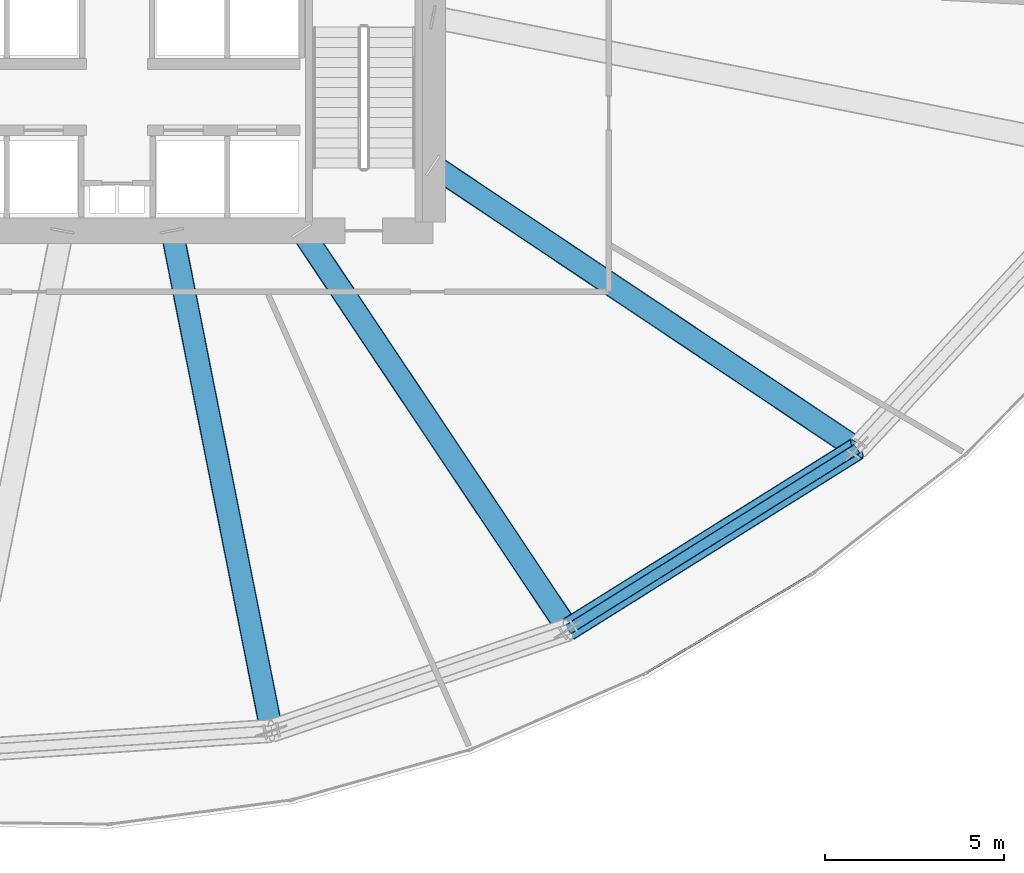
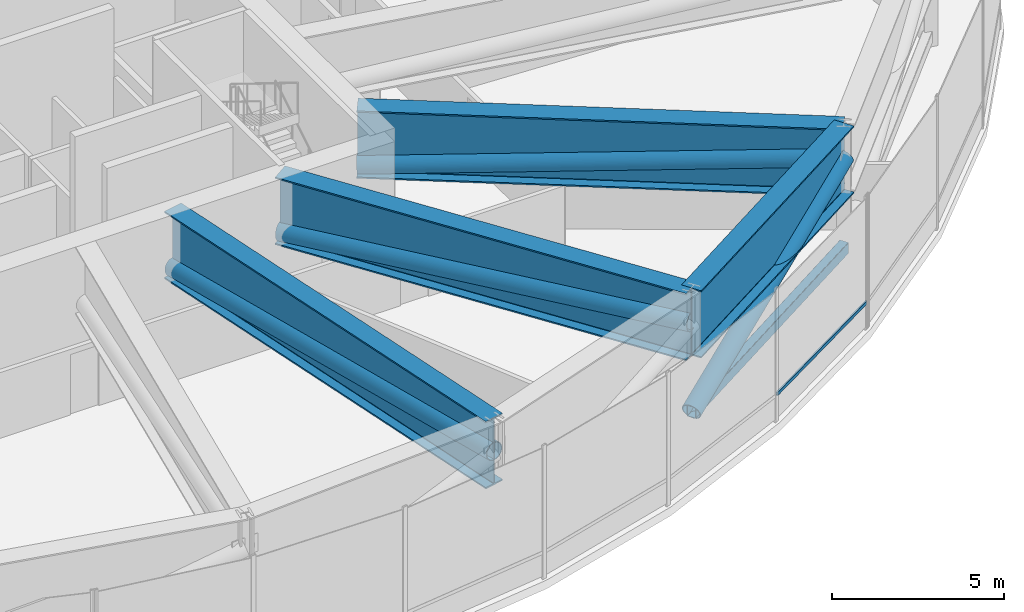
# One storey, part 12 of 33: 6 members, 4 beams, 1 element without a shape of its own.
"""IFC4 building model written with IfcOpenShell, lengths in metres."""

from ifc_helpers import new_model, si_unit, direction, frame, origin, origin_2d, place, context, subcontext, project, spatial, hollow_rectangle, hollow_circle, i_section, extrude, source, transform, mapped, material, layer, layer_set, material_profile, profile_set, type_object, element, aggregate, save


model = new_model("IFC4")

# Units and contexts
model_context = context("Model", 3, precision=1e-05, world=origin(), true_north=direction((0.0, 1.0)))
body_context = subcontext(model_context, "Body", "Model", "MODEL_VIEW")
ifc_project = project(units=[si_unit("LENGTHUNIT", "METRE"), si_unit("AREAUNIT", "SQUARE_METRE"), si_unit("VOLUMEUNIT", "CUBIC_METRE"), si_unit("PLANEANGLEUNIT", "RADIAN"), si_unit("MASSUNIT", "GRAM", prefix="KILO"), si_unit("THERMODYNAMICTEMPERATUREUNIT", "KELVIN")], contexts=[model_context])

# Site, building, storey
site_placement = place(None, origin())
site = spatial("IfcSite", under=ifc_project, at=site_placement, CompositionType="ELEMENT")
building_placement = place(site_placement, origin())
building = spatial("IfcBuilding", under=site, at=building_placement, Name="Kethvar Cultural Tower", CompositionType="ELEMENT")
storey_placement = place(building_placement, frame((0.0, 0.0, 80.39990234375)))
storey = spatial("IfcBuildingStorey", under=building, at=storey_placement, Name="L19", CompositionType="ELEMENT", Elevation=80.39990234375)

# Beam
ifc_material_1 = material(Name="Steel S460M", Category="steel")
ifc_material_profile_1 = material_profile(ifc_material_1, i_section(OverallWidth=0.64990234375, OverallDepth=2.39990234375, WebThickness=0.030029296875, FlangeThickness=0.048095703125, FilletRadius=0.02197265625, at=origin_2d()), Name="Steel S460M — PG2400x650x48x30")
ifc_profile_set_1 = profile_set([ifc_material_profile_1], Name="Steel S460M — PG2400x650x48x30")
beam_type = type_object("IfcBeamType", Name="BM-TR2400", PredefinedType="BEAM", material=ifc_profile_set_1)
shared_shape_1 = source(origin(), body_context, "Body", "SweptSolid", [
    extrude(i_section(OverallWidth=0.64990234375, OverallDepth=2.39990234375, WebThickness=0.030029296875, FlangeThickness=0.048095703125, FilletRadius=0.02197265625, at=origin_2d()), origin(), (0.0, 0.0, 1.0), 14.210693359375),
])
beam_1_placement = place(storey_placement, frame((48.33154296875, 20.10009765625, 3.55810546875), z_axis=(0.195098432651, -0.980783667063, 0.0), x_axis=(0.980783667063, 0.195098432651, 0.0)))
element("IfcBeam", 1, at=beam_1_placement, inside=storey, type_object=beam_type, Name="L19 Outrigger Transfer Girder OG-13", PredefinedType="BEAM", context=body_context, shape_type="MappedRepresentation", body=[
    mapped(shared_shape_1, transform((0.0, 0.0, 0.0), scale=1.0)),
])

# Member
ifc_material_profile_2 = material_profile(ifc_material_1, hollow_circle(Radius=0.304931640625, WallThickness=0.02490234375, at=origin_2d()), Name="Steel S460M — CHS610x25")
ifc_profile_set_2 = profile_set([ifc_material_profile_2], Name="Steel S460M — CHS610x25")
member_type_1 = type_object("IfcMemberType", Name="MB-OUT-610", PredefinedType="BRACE", material=ifc_profile_set_2)
shared_shape_2 = source(origin(), body_context, "Body", "SweptSolid", [
    extrude(hollow_circle(Radius=0.304931640625, WallThickness=0.02490234375, at=origin_2d()), origin(), (0.0, 0.0, 1.0), 14.239501953125),
])
member_1_placement = place(storey_placement, frame((48.33154296875, 20.10009765625, 2.650146484375), z_axis=(0.19470141875, -0.978787829659, 0.063763171568), x_axis=(0.980783667063, 0.195098432651, 0.0)))
element("IfcMember", 2, at=member_1_placement, inside=storey, type_object=member_type_1, Name="L19 Outrigger Truss Diagonal OB-13", PredefinedType="BRACE", context=body_context, shape_type="MappedRepresentation", body=[
    mapped(shared_shape_2, transform((0.0, 0.0, 0.0), scale=1.0)),
])

# Beam
shared_shape_3 = source(origin(), body_context, "Body", "SweptSolid", [
    extrude(i_section(OverallWidth=0.64990234375, OverallDepth=2.39990234375, WebThickness=0.030029296875, FlangeThickness=0.048095703125, FilletRadius=0.02197265625, at=origin_2d()), origin(), (0.0, 0.0, 1.0), 13.365478515625),
])
beam_2_placement = place(storey_placement, frame((51.945068359375, 20.10009765625, 3.55810546875), z_axis=(0.555559834465, -0.831476560301, 0.0), x_axis=(0.831476560301, 0.555559834465, 0.0)))
element("IfcBeam", 3, at=beam_2_placement, inside=storey, type_object=beam_type, Name="L19 Outrigger Transfer Girder OG-14", PredefinedType="BEAM", context=body_context, shape_type="MappedRepresentation", body=[
    mapped(shared_shape_3, transform((0.0, 0.0, 0.0), scale=1.0)),
])

# Member
shared_shape_4 = source(origin(), body_context, "Body", "SweptSolid", [
    extrude(hollow_circle(Radius=0.304931640625, WallThickness=0.02490234375, at=origin_2d()), origin(), (0.0, 0.0, 1.0), 13.396240234375),
])
member_2_placement = place(storey_placement, frame((51.945068359375, 20.10009765625, 2.650146484375), z_axis=(0.554282314246, -0.829564564416, 0.067777205454), x_axis=(0.831476560301, 0.555559834465, 0.0)))
element("IfcMember", 4, at=member_2_placement, inside=storey, type_object=member_type_1, Name="L19 Outrigger Truss Diagonal OB-14", PredefinedType="BRACE", context=body_context, shape_type="MappedRepresentation", body=[
    mapped(shared_shape_4, transform((0.0, 0.0, 0.0), scale=1.0)),
])

# Beam
shared_shape_5 = source(origin(), body_context, "Body", "SweptSolid", [
    extrude(i_section(OverallWidth=0.64990234375, OverallDepth=2.39990234375, WebThickness=0.030029296875, FlangeThickness=0.048095703125, FilletRadius=0.02197265625, at=origin_2d()), origin(), (0.0, 0.0, 1.0), 9.493896484375),
])
beam_3_placement = place(storey_placement, frame((59.370361328125, 8.987060546875, 3.55810546875), z_axis=(0.847710685997, 0.530458851228, 0.0), x_axis=(-0.530458851228, 0.847710685997, 0.0)))
element("IfcBeam", 5, at=beam_3_placement, inside=storey, type_object=beam_type, Name="L19 Ring Belt Girder BG-14", PredefinedType="BEAM", context=body_context, shape_type="MappedRepresentation", body=[
    mapped(shared_shape_5, transform((0.0, 0.0, 0.0), scale=1.0)),
])

# Members
ifc_material_profile_3 = material_profile(ifc_material_1, hollow_rectangle(XDim=0.300048828125, YDim=0.39990234375, WallThickness=0.01611328125, InnerFilletRadius=0.01611328125, OuterFilletRadius=0.031982421875, at=origin_2d()), Name="Steel S460M — RHS400x300x16")
ifc_profile_set_3 = profile_set([ifc_material_profile_3], Name="Steel S460M — RHS400x300x16")
member_type_2 = type_object("IfcMemberType", Name="MB-CHD-400", PredefinedType="CHORD", material=ifc_profile_set_3)
shared_shape_6 = source(origin(), body_context, "Body", "SweptSolid", [
    extrude(hollow_rectangle(XDim=0.300048828125, YDim=0.39990234375, WallThickness=0.01611328125, InnerFilletRadius=0.01611328125, OuterFilletRadius=0.031982421875, at=origin_2d()), origin(), (0.0, 0.0, 1.0), 9.493896484375),
])
member_3_placement = place(storey_placement, frame((59.370361328125, 8.987060546875, 0.35009765625), z_axis=(0.847710685997, 0.530458851228, 0.0), x_axis=(-0.530458851228, 0.847710685997, 0.0)))
element("IfcMember", 6, at=member_3_placement, inside=storey, type_object=member_type_2, Name="L19 Ring Belt Bottom Chord BC-14", PredefinedType="CHORD", context=body_context, shape_type="MappedRepresentation", body=[
    mapped(shared_shape_6, transform((0.0, 0.0, 0.0), scale=1.0)),
])
shared_shape_7 = source(origin(), body_context, "Body", "SweptSolid", [
    extrude(hollow_circle(Radius=0.304931640625, WallThickness=0.02490234375, at=origin_2d()), origin(), (0.0, 0.0, 1.0), 10.021240234375),
])
member_4_placement = place(storey_placement, frame((59.370361328125, 8.987060546875, 0.35009765625), z_axis=(0.803101614143, 0.502544519841, 0.320119982098), x_axis=(-0.530458851228, 0.847710685997, 0.0)))
element("IfcMember", 7, at=member_4_placement, inside=storey, type_object=member_type_1, Name="L19 Ring Belt Diagonal BD-14", PredefinedType="BRACE", context=body_context, shape_type="MappedRepresentation", body=[
    mapped(shared_shape_7, transform((0.0, 0.0, 0.0), scale=1.0)),
])

# Beam
shared_shape_8 = source(origin(), body_context, "Body", "SweptSolid", [
    extrude(i_section(OverallWidth=0.64990234375, OverallDepth=2.39990234375, WebThickness=0.030029296875, FlangeThickness=0.048095703125, FilletRadius=0.02197265625, at=origin_2d()), origin(), (0.0, 0.0, 1.0), 14.2138671875),
])
beam_4_placement = place(storey_placement, frame((55.60009765625, 21.920166015625, 3.55810546875), z_axis=(0.831463197362, -0.555579833537, 0.0), x_axis=(0.555579833537, 0.831463197362, 0.0)))
element("IfcBeam", 8, at=beam_4_placement, inside=storey, type_object=beam_type, Name="L19 Outrigger Transfer Girder OG-15", PredefinedType="BEAM", context=body_context, shape_type="MappedRepresentation", body=[
    mapped(shared_shape_8, transform((0.0, 0.0, 0.0), scale=1.0)),
])

# Member
shared_shape_9 = source(origin(), body_context, "Body", "SweptSolid", [
    extrude(hollow_circle(Radius=0.304931640625, WallThickness=0.02490234375, at=origin_2d()), origin(), (0.0, 0.0, 1.0), 14.242919921875),
])
member_5_placement = place(storey_placement, frame((55.60009765625, 21.920166015625, 2.650146484375), z_axis=(0.829772014465, -0.554449793007, 0.063748184635), x_axis=(0.555579833537, 0.831463197362, 0.0)))
element("IfcMember", 9, at=member_5_placement, inside=storey, type_object=member_type_1, Name="L19 Outrigger Truss Diagonal OB-15", PredefinedType="BRACE", context=body_context, shape_type="MappedRepresentation", body=[
    mapped(shared_shape_9, transform((0.0, 0.0, 0.0), scale=1.0)),
])

# Curtain wall, member
ifc_material_2 = material(Name="Aluminium 6063-T6", Category="aluminium")
ifc_layer = layer(ifc_material_2, 0.179931640625, Name="Aluminium 6063-T6", Category="aluminium")
ifc_layer_set = layer_set([ifc_layer], Name="Aluminium 6063-T6 (180 mm)")
curtain_wall_type = type_object("IfcCurtainWallType", Name="CW-SYS-02-Z1", PredefinedType="NOTDEFINED", material=ifc_layer_set)
curtain_wall_placement = place(storey_placement, origin())
curtain_wall = element("IfcCurtainWall", 10, at=curtain_wall_placement, inside=storey, type_object=curtain_wall_type, Name="L19 Curtain Wall Run 05", PredefinedType="NOTDEFINED")
ifc_material_profile_4 = material_profile(ifc_material_2, hollow_rectangle(XDim=0.054931640625, YDim=0.1201171875, WallThickness=0.00390625, at=origin_2d()), Name="Aluminium 6063-T6 — RHS120x55x4")
ifc_profile_set_4 = profile_set([ifc_material_profile_4], Name="Aluminium 6063-T6 — RHS120x55x4")
member_type_3 = type_object("IfcMemberType", Name="CW-SYS-02-Z1-TRN", PredefinedType="USERDEFINED", material=ifc_profile_set_4)
shared_shape_10 = source(origin(), body_context, "Body", "SweptSolid", [
    extrude(hollow_rectangle(XDim=0.054931640625, YDim=0.1201171875, WallThickness=0.00390625, at=origin_2d()), origin(), (0.0, 0.0, 1.0), 5.3427734375),
])
member_6_placement = place(storey_placement, frame((61.55859375, 7.785400390625, 0.9501953125), z_axis=(0.858736258111, 0.512417836346, 0.0), x_axis=(-0.512417836346, 0.858736258111, 0.0)))
member_6 = element("IfcMember", 11, at=member_6_placement, type_object=member_type_3, Name="CW-L19-R05 Transom 6", ObjectType="TRANSOM", PredefinedType="USERDEFINED", context=body_context, shape_type="MappedRepresentation", body=[
    mapped(shared_shape_10, transform((0.0, 0.0, 0.0), scale=1.0)),
])
aggregate(curtain_wall, [member_6])

save(model, "model.ifc")
